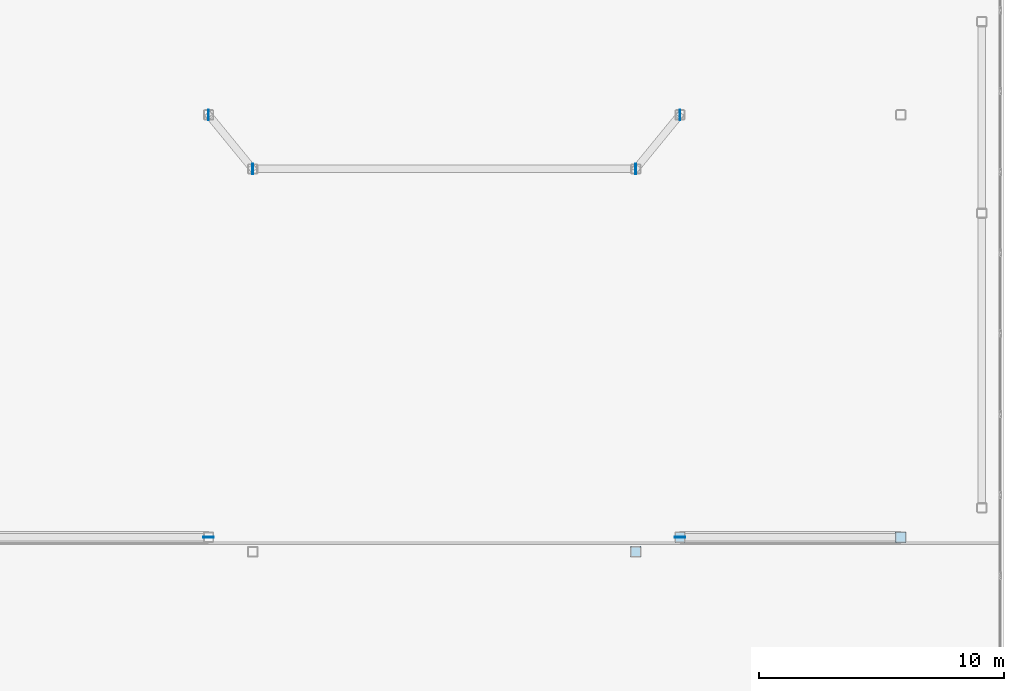
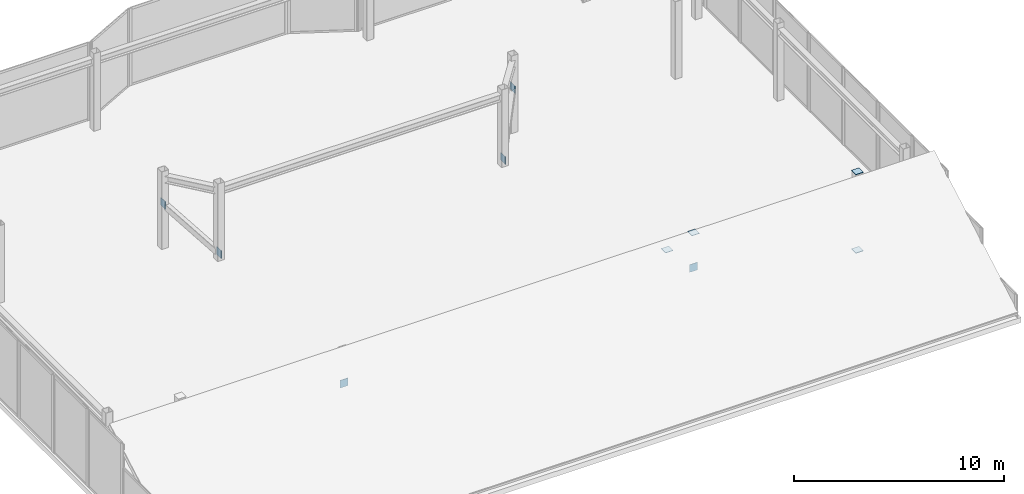
# One storey, part 13 of 15: 10 plates.
"""IFC4 building model written with IfcOpenShell, lengths in metres."""

import ifcopenshell
import ifcopenshell.guid

model = None  # the IFC model being written
_history = None  # IfcOwnerHistory: only IFC2X3 demands one
_inside = {}  # id of a spatial element -> (the spatial element, [elements in it])
_under = {}  # id of a project, library or spatial element -> (it, [spatial elements below it])
_declared = {}  # id of a project -> (the project, [libraries it declares])
_typed = {}  # id of a type object -> (the type object, [elements of that type])
_made_of = {}  # id of a material, layer set ... -> (it, [elements and type objects made of it])


def new_model(schema):
    """Start an empty IFC model of exactly this schema.

    Asked for "IFC4X3", IfcOpenShell would pick the latest addendum, in which some entities
    have other attributes; the version numbers below select the first issue.
    IFC2X3 requires an IfcOwnerHistory on every rooted entity: one is made here for all.
    """
    global model, _history
    if schema == "IFC4X3":
        model = ifcopenshell.file(schema_version=(4, 3, 0, 0))
    else:
        model = ifcopenshell.file(schema=schema)
    _inside.clear()
    _under.clear()
    _declared.clear()
    _typed.clear()
    _made_of.clear()
    _history = None
    if model.schema == "IFC2X3":
        org = make("IfcOrganization", Name="unknown")
        user = make(
            "IfcPersonAndOrganization",
            ThePerson=make("IfcPerson", FamilyName="unknown"),
            TheOrganization=org,
        )
        app = make(
            "IfcApplication",
            ApplicationDeveloper=org,
            Version="unknown",
            ApplicationFullName="unknown",
            ApplicationIdentifier="unknown",
        )
        _history = make(
            "IfcOwnerHistory",
            OwningUser=user,
            OwningApplication=app,
            ChangeAction="ADDED",
            CreationDate=0,
        )
    return model


def make(cls, **values):
    """One entity of the class cls with the attributes given. An attribute that is None is left unset."""
    return model.create_entity(
        cls, **{name: value for name, value in values.items() if value is not None}
    )


def rooted(cls, **values):
    """An entity with a GlobalId (a new one), such as an element, a storey or a relation."""
    return make(cls, GlobalId=ifcopenshell.guid.new(), OwnerHistory=_history, **values)


def si_unit(unit_type, name, prefix=None):
    """IfcSIUnit, for example si_unit("LENGTHUNIT", "METRE", prefix="MILLI")."""
    return make("IfcSIUnit", UnitType=unit_type, Prefix=prefix, Name=name)


def assignment(units):
    """IfcUnitAssignment: the units of a project."""
    return None if units is None else make("IfcUnitAssignment", Units=units)


def point(xyz):
    """IfcCartesianPoint."""
    return None if xyz is None else make("IfcCartesianPoint", Coordinates=xyz)


def direction(xyz):
    """IfcDirection."""
    return None if xyz is None else make("IfcDirection", DirectionRatios=xyz)


def frame(location, z_axis=None, x_axis=None):
    """IfcAxis2Placement3D, a coordinate frame: its origin and axes. An axis left out is left unset."""
    return make(
        "IfcAxis2Placement3D",
        Location=point(location),
        Axis=direction(z_axis),
        RefDirection=direction(x_axis),
    )


def frame_2d(location, x_axis=None):
    """IfcAxis2Placement2D, a coordinate frame in the plane: its origin and x axis."""
    return make(
        "IfcAxis2Placement2D", Location=point(location), RefDirection=direction(x_axis)
    )


def origin():
    """The frame at (0, 0, 0) with its axes left unset."""
    return frame((0.0, 0.0, 0.0))


def origin_2d():
    """The frame at (0, 0) in the plane with its x axis left unset."""
    return frame_2d((0.0, 0.0))


def place(relative_to, where):
    """IfcLocalPlacement: puts the frame where relative to a parent placement (None: the world)."""
    return make(
        "IfcLocalPlacement", PlacementRelTo=relative_to, RelativePlacement=where
    )


def context(
    kind, dimensions, precision=None, world=None, true_north=None, identifier=None
):
    """IfcGeometricRepresentationContext, for example the 3D "Model" context."""
    return make(
        "IfcGeometricRepresentationContext",
        ContextIdentifier=identifier,
        ContextType=kind,
        CoordinateSpaceDimension=dimensions,
        Precision=precision,
        WorldCoordinateSystem=world,
        TrueNorth=true_north,
    )


def subcontext(parent, identifier, kind, view, scale=None):
    """IfcGeometricRepresentationSubContext, for example "Body" below "Model"."""
    return make(
        "IfcGeometricRepresentationSubContext",
        ContextIdentifier=identifier,
        ContextType=kind,
        ParentContext=parent,
        TargetScale=scale,
        TargetView=view,
    )


def project(units=None, contexts=None):
    """IfcProject with its units and contexts."""
    return rooted(
        "IfcProject",
        Name="project",
        RepresentationContexts=contexts,
        UnitsInContext=assignment(units),
    )


def spatial(cls, under=None, at=None, **own):
    """A site, building, storey or space (cls), placed at a placement, below another one or the project."""
    s = rooted(cls, ObjectPlacement=at, **own)
    if under is not None:
        _under.setdefault(under.id(), (under, []))[1].append(s)
    return s


def profile(cls, at=None, kind="AREA", **sizes):
    """A parametric profile (cls). Its sizes go by their IFC names, for example OverallWidth=200.0."""
    return make(cls, ProfileType=kind, Position=at, **sizes)


def rectangle(**sizes):
    """IfcRectangleProfileDef."""
    return profile("IfcRectangleProfileDef", **sizes)


def extrude(swept, where, along, depth):
    """IfcExtrudedAreaSolid: the profile swept, set in the frame where, extruded along a direction by depth."""
    return make(
        "IfcExtrudedAreaSolid",
        SweptArea=swept,
        Position=where,
        ExtrudedDirection=direction(along),
        Depth=depth,
    )


def shape(context_of_items, identifier, shape_type, items):
    """IfcShapeRepresentation: the items that make up one representation, for example the "Body"."""
    return make(
        "IfcShapeRepresentation",
        ContextOfItems=context_of_items,
        RepresentationIdentifier=identifier,
        RepresentationType=shape_type,
        Items=items,
    )


def material(Name=None, Category=None):
    """IfcMaterial."""
    return make("IfcMaterial", Name=Name, Category=Category)


def layer(
    of_material, thickness, ventilated=None, Name=None, Category=None, Priority=None
):
    """IfcMaterialLayer: one layer of a wall or slab, of a material (None: an air gap)."""
    return make(
        "IfcMaterialLayer",
        Material=of_material,
        LayerThickness=thickness,
        IsVentilated=ventilated,
        Name=Name,
        Category=Category,
        Priority=Priority,
    )


def layer_set(layers, Name=None):
    """IfcMaterialLayerSet."""
    return make("IfcMaterialLayerSet", MaterialLayers=layers, LayerSetName=Name)


def made_of(thing, what):
    """Note that an element or type object is made of a material, layer set ...; save() writes the relation."""
    if what is not None:
        _made_of.setdefault(what.id(), (what, []))[1].append(thing)
    return thing


def type_object(cls, material=None, **own):
    """A type object (cls), such as IfcWallType, which elements share."""
    return made_of(rooted(cls, **own), material)


def element(
    cls,
    number,
    at=None,
    inside=None,
    cuts=None,
    type_object=None,
    material=None,
    context=None,
    identifier="Body",
    shape_type=None,
    held_by="IfcProductDefinitionShape",
    body=None,
    shapes=None,
    **own,
):
    """One element of the class cls, such as IfcWall. Its Tag is "e" and its number.

    at: its placement. inside: the storey or other place that contains it. cuts: it is an
    opening in that element (IfcRelVoidsElement). A single representation is given by context,
    identifier, shape_type and body (its items); several are given by shapes. held_by: the class
    of the entity that holds the representations. save() writes the other relations.
    """
    e = rooted(cls, Tag="e%d" % number, ObjectPlacement=at, **own)
    if body is not None:
        shapes = [shape(context, identifier, shape_type, body)]
    if shapes is not None:
        e.Representation = make(held_by, Representations=shapes)
    if inside is not None:
        _inside.setdefault(inside.id(), (inside, []))[1].append(e)
    if cuts is not None:
        rooted(
            "IfcRelVoidsElement", RelatingBuildingElement=cuts, RelatedOpeningElement=e
        )
    if type_object is not None:
        _typed.setdefault(type_object.id(), (type_object, []))[1].append(e)
    return made_of(e, material)


def aggregate(whole, parts):
    """IfcRelAggregates: a whole, such as a stair, and the parts it consists of."""
    return rooted("IfcRelAggregates", RelatingObject=whole, RelatedObjects=parts)


def save(model, path):
    """Write the relations noted so far, then the file.

    IfcRelAggregates (storeys below a building ...), IfcRelContainedInSpatialStructure (elements
    in a storey), IfcRelDefinesByType, IfcRelAssociatesMaterial and IfcRelDeclares: one each for
    every whole, place, type object, material and project.
    """
    for whole, parts in _under.values():
        aggregate(whole, parts)
    for where, things in _inside.values():
        rooted(
            "IfcRelContainedInSpatialStructure",
            RelatedElements=things,
            RelatingStructure=where,
        )
    for kind, things in _typed.values():
        rooted("IfcRelDefinesByType", RelatedObjects=things, RelatingType=kind)
    for what, things in _made_of.values():
        rooted("IfcRelAssociatesMaterial", RelatedObjects=things, RelatingMaterial=what)
    for by, libraries in _declared.values():
        rooted("IfcRelDeclares", RelatingContext=by, RelatedDefinitions=libraries)
    model.write(path)


model = new_model("IFC4")

# Units and contexts
model_context = context("Model", 3, precision=1e-05, world=origin(), true_north=direction((0.0, 1.0)))
body_context = subcontext(model_context, "Body", "Model", "MODEL_VIEW")
ifc_project = project(units=[si_unit("LENGTHUNIT", "METRE"), si_unit("AREAUNIT", "SQUARE_METRE"), si_unit("VOLUMEUNIT", "CUBIC_METRE"), si_unit("PLANEANGLEUNIT", "RADIAN"), si_unit("MASSUNIT", "GRAM", prefix="KILO")], contexts=[model_context])

# Site, building, storey
site_placement = place(None, origin())
site = spatial("IfcSite", under=ifc_project, at=site_placement, CompositionType="ELEMENT")
building_placement = place(site_placement, origin())
building = spatial("IfcBuilding", under=site, at=building_placement, Name="Tarnavaz Court Tower", CompositionType="ELEMENT")
storey_placement = place(building_placement, frame((0.0, 0.0, 295.050048828125)))
storey = spatial("IfcBuildingStorey", under=building, at=storey_placement, Name="C04", CompositionType="ELEMENT", Elevation=295.050048828125)

# Plates
ifc_material = material(Name="Steel S355", Category="steel")
ifc_layer_1 = layer(ifc_material, 0.02490234375)
ifc_layer_set_1 = layer_set([ifc_layer_1], Name="Steel S355")
plate_type_1 = type_object("IfcPlateType", Name="PL-CAP-25", PredefinedType="USERDEFINED", material=ifc_layer_set_1)
for number, where, z_axis, x_axis, name in (
    (1, (7.800048828125, -7.800048828125, 4.5), (0.0, 0.0, 1.0), (1.0, 0.0, 0.0), "C04 Crown Column Top Cap Plate IW-SE"),
    (2, (9.60009765625, -7.199951171875, 4.5), (0.0, 0.0, 1.0), (1.0, 0.0, 0.0), "C04 Crown Column Top Cap Plate CE-SI"),
    (3, (18.60009765625, -7.199951171875, 4.89306640625), (0.0, 0.0, 1.0), (1.0, 0.0, 0.0), "C04 Crown Column Top Cap Plate CE-SO"),
    (4, (18.60009765625, -7.199951171875, 0.33740234375), (0.0, 0.0, 1.0), (1.0, 0.0, 0.0), "C04 Crown Brace Node Cap Plate E"),
):
    element("IfcPlate", number, at=place(storey_placement, frame(where, z_axis=z_axis, x_axis=x_axis)), inside=storey, type_object=plate_type_1, Name=name, ObjectType="CAP PLATE", PredefinedType="USERDEFINED", context=body_context, shape_type="SweptSolid", body=[
        extrude(rectangle(XDim=0.419921875, YDim=0.419921875, at=origin_2d()), origin(), (0.0, 0.0, 1.0), 0.02490234375),
    ])
ifc_layer_2 = layer(ifc_material, 0.030029296875)
ifc_layer_set_2 = layer_set([ifc_layer_2], Name="Steel S355")
plate_type_2 = type_object("IfcPlateType", Name="PL-GUSSET-30", PredefinedType="USERDEFINED", material=ifc_layer_set_2)
for number, where, z_axis, x_axis, name in (
    (5, (-9.60009765625, -7.199951171875, 2.280029296875), (0.0, 0.0, 1.0), (1.0, 0.0, 0.0), "C04 Structural Brace & Strut End Gusset Plate 161"),
    (6, (9.60009765625, -7.199951171875, 2.280029296875), (0.0, 0.0, 1.0), (1.0, 0.0, 0.0), "C04 Structural Brace & Strut End Gusset Plate 162"),
    (7, (-7.800048828125, 7.800048828125, 0.1298828125), (0.0, 0.0, 1.0), (0.0, 1.0, 0.0), "C04 Structural Brace & Strut End Gusset Plate 163"),
    (8, (-9.60009765625, 10.0, 2.280029296875), (0.0, 0.0, 1.0), (0.0, 1.0, 0.0), "C04 Structural Brace & Strut End Gusset Plate 164"),
    (9, (7.800048828125, 7.800048828125, 0.1298828125), (0.0, 0.0, 1.0), (0.0, 1.0, 0.0), "C04 Structural Brace & Strut End Gusset Plate 165"),
    (10, (9.60009765625, 10.0, 2.280029296875), (0.0, 0.0, 1.0), (0.0, 1.0, 0.0), "C04 Structural Brace & Strut End Gusset Plate 166"),
):
    element("IfcPlate", number, at=place(storey_placement, frame(where, z_axis=z_axis, x_axis=x_axis)), inside=storey, type_object=plate_type_2, Name=name, ObjectType="GUSSET PLATE", PredefinedType="USERDEFINED", context=body_context, shape_type="SweptSolid", body=[
        extrude(rectangle(XDim=0.43994140625, YDim=0.030029296875, at=origin_2d()), origin(), (0.0, 0.0, 1.0), 0.43994140625),
    ])

save(model, "model.ifc")
